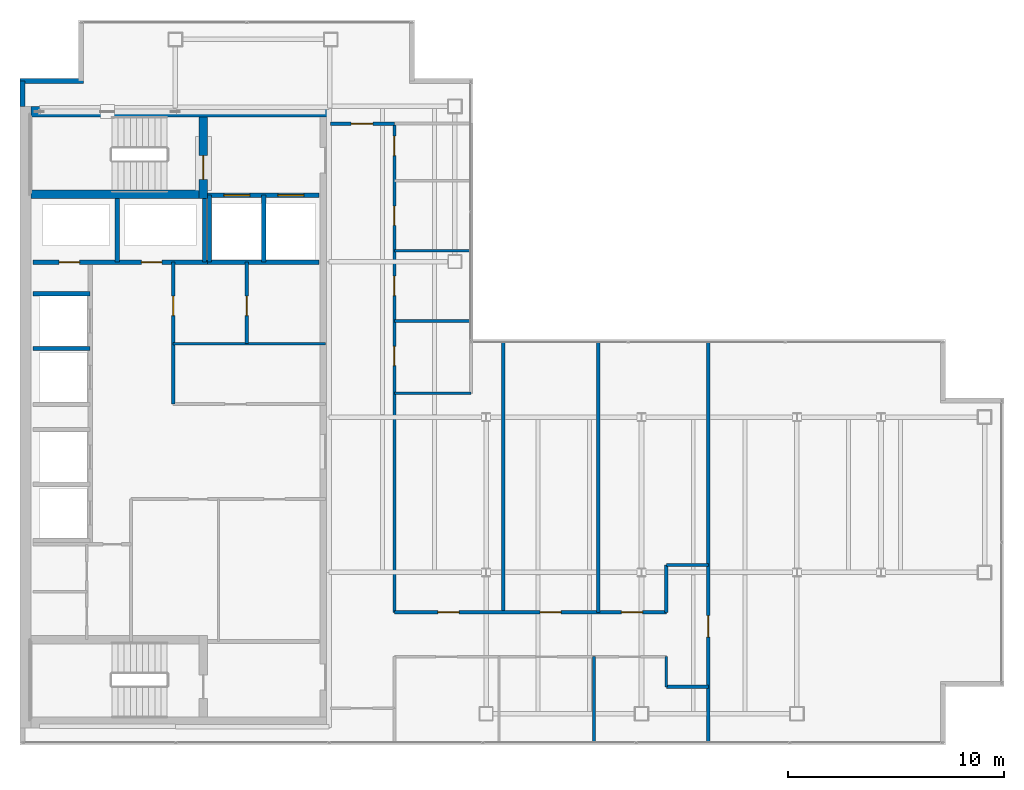
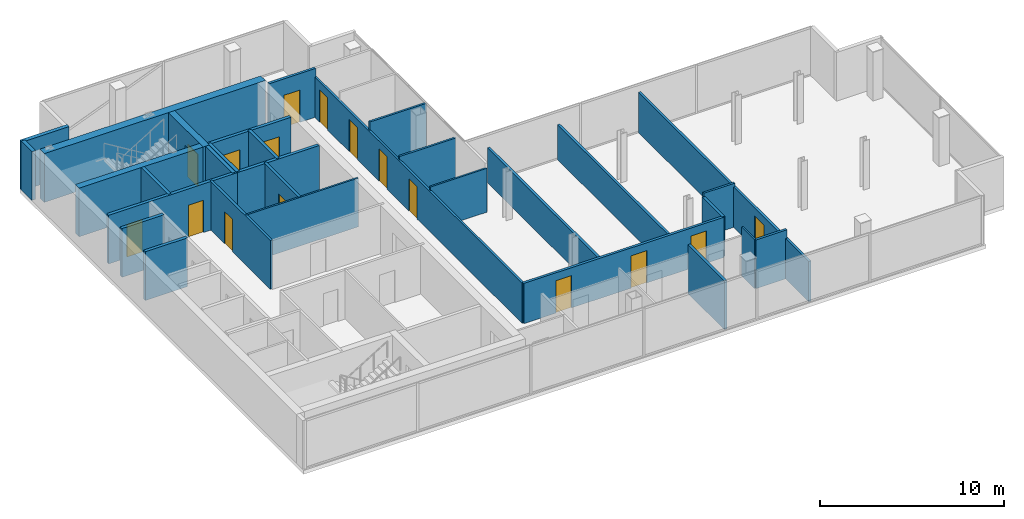
# One storey, part 22 of 24: 31 walls, 16 doors, 16 openings.
"""IFC4 building model written with IfcOpenShell, lengths in metres."""

from ifc_helpers import new_model, si_unit, direction, frame, frame_2d, origin, place, context, subcontext, project, spatial, rectangle, extrude, material, layer, layer_set, type_object, element, fill, save


model = new_model("IFC4")

# Units and contexts
model_context = context("Model", 3, precision=1e-05, world=origin(), true_north=direction((0.0, 1.0)))
body_context = subcontext(model_context, "Body", "Model", "MODEL_VIEW")
ifc_project = project(units=[si_unit("LENGTHUNIT", "METRE"), si_unit("AREAUNIT", "SQUARE_METRE"), si_unit("VOLUMEUNIT", "CUBIC_METRE"), si_unit("PLANEANGLEUNIT", "RADIAN"), si_unit("MASSUNIT", "GRAM", prefix="KILO")], contexts=[model_context])

# Site, building, storey
site_placement = place(None, origin())
site = spatial("IfcSite", under=ifc_project, at=site_placement, CompositionType="ELEMENT")
building_placement = place(site_placement, origin())
building = spatial("IfcBuilding", under=site, at=building_placement, Name="Cobrela Telecom Tower", CompositionType="ELEMENT")
storey_placement = place(building_placement, frame((0.0, 0.0, 290.14990234375)))
storey = spatial("IfcBuildingStorey", under=building, at=storey_placement, Name="L76", CompositionType="ELEMENT", Elevation=290.14990234375)

# Walls
ifc_material_1 = material(Name="Concrete C40/50", Category="concrete")
ifc_layer_1 = layer(ifc_material_1, 0.5)
ifc_layer_set_1 = layer_set([ifc_layer_1], Name="Concrete C40/50")
wall_type_1 = type_object("IfcWallType", Name="WALL-CORE-C40-500", PredefinedType="SHEAR", material=ifc_layer_set_1)
wall_1_placement = place(storey_placement, frame((0.5, 35.75, 0.0), z_axis=(0.0, 0.0, 1.0), x_axis=(1.0, 0.0, 0.0)))
element("IfcWall", 1, at=wall_1_placement, inside=storey, type_object=wall_type_1, Name="L76 North Core Shear Wall", PredefinedType="SHEAR", context=body_context, shape_type="SweptSolid", body=[
    extrude(rectangle(XDim=13.89990234375, YDim=0.5, at=frame_2d((6.949951171875, 0.0))), origin(), (0.0, 0.0, 1.0), 3.239990234375),
])
ifc_layer_2 = layer(ifc_material_1, 0.239990234375)
ifc_layer_set_2 = layer_set([ifc_layer_2], Name="Concrete C40/50")
wall_type_2 = type_object("IfcWallType", Name="WALL-EXT-300", PredefinedType="STANDARD", material=ifc_layer_set_2)
wall_2_placement = place(storey_placement, frame((0.1201171875, 36.0, 0.0), z_axis=(0.0, 0.0, 1.0), x_axis=(0.0, 1.0, 0.0)))
element("IfcWall", 2, at=wall_2_placement, inside=storey, type_object=wall_type_2, Name="L76 Insulated Facade Wall 02", PredefinedType="STANDARD", context=body_context, shape_type="SweptSolid", body=[
    extrude(rectangle(XDim=1.169921875, YDim=0.239990234375, at=frame_2d((0.5849609375, 0.0))), origin(), (0.0, 0.0, 1.0), 3.239990234375),
])
wall_3_placement = place(storey_placement, frame((0.0, 37.169921875, 0.0), z_axis=(0.0, 0.0, 1.0), x_axis=(1.0, 0.0, 0.0)))
element("IfcWall", 3, at=wall_3_placement, inside=storey, type_object=wall_type_2, Name="L76 Insulated Facade Wall 03", PredefinedType="STANDARD", context=body_context, shape_type="SweptSolid", body=[
    extrude(rectangle(XDim=2.949951171875, YDim=0.239990234375, at=frame_2d((1.47509765625, 0.0))), origin(), (0.0, 0.0, 1.0), 3.239990234375),
])
ifc_material_2 = material(Name="Fire-Rated Gypsum Plasterboard")
ifc_layer_3 = layer(ifc_material_2, 0.110107421875)
ifc_layer_set_3 = layer_set([ifc_layer_3], Name="Fire-Rated Gypsum Plasterboard")
wall_type_3 = type_object("IfcWallType", Name="WALL-PART-110", PredefinedType="PARTITIONING", material=ifc_layer_set_3)
wall_4_placement = place(storey_placement, frame((7.10009765625, 25.0, 0.0), z_axis=(0.0, 0.0, 1.0), x_axis=(1.0, 0.0, 0.0)))
element("IfcWall", 4, at=wall_4_placement, inside=storey, type_object=wall_type_3, Name="L76 Interior Partition CW-RECL-H", PredefinedType="PARTITIONING", context=body_context, shape_type="SweptSolid", body=[
    extrude(rectangle(XDim=7.0498046875, YDim=0.110107421875, at=frame_2d((3.52490234375, 0.0))), origin(), (0.0, 0.0, 1.0), 3.239990234375),
])
wall_5_placement = place(storey_placement, frame((29.949951171875, 9.10009765625, 0.0), z_axis=(0.0, 0.0, 1.0), x_axis=(0.0, 1.0, 0.0)))
element("IfcWall", 5, at=wall_5_placement, inside=storey, type_object=wall_type_3, Name="L76 Interior Partition W-CT-JW1", PredefinedType="PARTITIONING", context=body_context, shape_type="SweptSolid", body=[
    extrude(rectangle(XDim=1.39990234375, YDim=0.110107421875, at=frame_2d((0.699951171875, 0.0))), origin(), (0.0, 0.0, 1.0), 3.239990234375),
])
wall_6_placement = place(storey_placement, frame((17.35009765625, 22.699951171875, 0.0), z_axis=(0.0, 0.0, 1.0), x_axis=(1.0, 0.0, 0.0)))
element("IfcWall", 6, at=wall_6_placement, inside=storey, type_object=wall_type_3, Name="L76 Interior Partition W-WC-S", PredefinedType="PARTITIONING", context=body_context, shape_type="SweptSolid", body=[
    extrude(rectangle(XDim=3.5498046875, YDim=0.110107421875, at=frame_2d((1.77490234375, 0.0))), origin(), (0.0, 0.0, 1.0), 2.9150390625),
])
ifc_layer_4 = layer(ifc_material_2, 0.125)
ifc_layer_set_4 = layer_set([ifc_layer_4], Name="Fire-Rated Gypsum Plasterboard")
wall_type_4 = type_object("IfcWallType", Name="WALL-PART-125", PredefinedType="PARTITIONING", material=ifc_layer_set_4)
wall_7_placement = place(storey_placement, frame((17.35009765625, 26.050048828125, 0.0), z_axis=(0.0, 0.0, 1.0), x_axis=(1.0, 0.0, 0.0)))
element("IfcWall", 7, at=wall_7_placement, inside=storey, type_object=wall_type_4, Name="L76 Interior Partition W-WCD-1", PredefinedType="PARTITIONING", context=body_context, shape_type="SweptSolid", body=[
    extrude(rectangle(XDim=3.5498046875, YDim=0.125, at=frame_2d((1.77490234375, 0.0))), origin(), (0.0, 0.0, 1.0), 2.9150390625),
])
wall_8_placement = place(storey_placement, frame((17.35009765625, 29.300048828125, 0.0), z_axis=(0.0, 0.0, 1.0), x_axis=(1.0, 0.0, 0.0)))
element("IfcWall", 8, at=wall_8_placement, inside=storey, type_object=wall_type_4, Name="L76 Interior Partition W-WCD-2", PredefinedType="PARTITIONING", context=body_context, shape_type="SweptSolid", body=[
    extrude(rectangle(XDim=3.5498046875, YDim=0.125, at=frame_2d((1.77490234375, 0.0))), origin(), (0.0, 0.0, 1.0), 3.239990234375),
])

# Wall, openings, doors
ifc_layer_5 = layer(ifc_material_2, 0.135009765625)
ifc_layer_set_5 = layer_set([ifc_layer_5], Name="Fire-Rated Gypsum Plasterboard")
wall_type_5 = type_object("IfcWallType", Name="WALL-PART-135", PredefinedType="PARTITIONING", material=ifc_layer_set_5)
wall_9_placement = place(storey_placement, frame((17.35009765625, 12.550048828125, 0.0), z_axis=(0.0, 0.0, 1.0), x_axis=(0.0, 1.0, 0.0)))
wall_9 = element("IfcWall", 9, at=wall_9_placement, inside=storey, type_object=wall_type_5, Name="L76 Interior Partition W-C-E2", PredefinedType="PARTITIONING", context=body_context, shape_type="SweptSolid", body=[
    extrude(rectangle(XDim=22.64990234375, YDim=0.135009765625, at=frame_2d((11.324951171875, 0.0))), origin(), (0.0, 0.0, 1.0), 2.676025390625),
])
opening_1_placement = place(wall_9_placement, frame((11.429931640625, 0.0, 0.0)))
opening_1 = element("IfcOpeningElement", 10, at=opening_1_placement, cuts=wall_9, Name="Opening DR-41", PredefinedType="OPENING", context=body_context, shape_type="SweptSolid", body=[
    extrude(rectangle(XDim=0.89990234375, YDim=2.14990234375, at=frame_2d((0.449951171875, 1.074951171875))), frame((0.0, 0.07958984375, 0.0), z_axis=(0.0, -1.0, 0.0), x_axis=(1.0, 0.0, 0.0)), (0.0, 0.0, 1.0), 0.158935546875),
])
opening_2_placement = place(wall_9_placement, frame((14.679931640625, 0.0, 0.0)))
opening_2 = element("IfcOpeningElement", 11, at=opening_2_placement, cuts=wall_9, Name="Opening DR-41", PredefinedType="OPENING", context=body_context, shape_type="SweptSolid", body=[
    extrude(rectangle(XDim=0.89990234375, YDim=2.14990234375, at=frame_2d((0.449951171875, 1.074951171875))), frame((0.0, 0.07958984375, 0.0), z_axis=(0.0, -1.0, 0.0), x_axis=(1.0, 0.0, 0.0)), (0.0, 0.0, 1.0), 0.158935546875),
])
opening_3_placement = place(wall_9_placement, frame((17.929931640625, 0.0, 0.0)))
opening_3 = element("IfcOpeningElement", 12, at=opening_3_placement, cuts=wall_9, Name="Opening DR-41", PredefinedType="OPENING", context=body_context, shape_type="SweptSolid", body=[
    extrude(rectangle(XDim=0.89990234375, YDim=2.14990234375, at=frame_2d((0.449951171875, 1.074951171875))), frame((0.0, 0.07958984375, 0.0), z_axis=(0.0, -1.0, 0.0), x_axis=(1.0, 0.0, 0.0)), (0.0, 0.0, 1.0), 0.158935546875),
])
opening_4_placement = place(wall_9_placement, frame((21.169921875, 0.0, 0.0)))
opening_4 = element("IfcOpeningElement", 13, at=opening_4_placement, cuts=wall_9, Name="Opening DR-41", PredefinedType="OPENING", context=body_context, shape_type="SweptSolid", body=[
    extrude(rectangle(XDim=0.89990234375, YDim=2.14990234375, at=frame_2d((0.449951171875, 1.074951171875))), frame((0.0, 0.07958984375, 0.0), z_axis=(0.0, -1.0, 0.0), x_axis=(1.0, 0.0, 0.0)), (0.0, 0.0, 1.0), 0.158935546875),
])
ifc_material_3 = material(Name="Solid Engineered Oak Timber", Category="wood")
door_type_1 = type_object("IfcDoorType", Name="DOOR-INT-900", OperationType="SINGLE_SWING_LEFT", PredefinedType="DOOR", material=ifc_material_3)
door_1_placement = place(opening_1_placement, origin())
door_1 = element("IfcDoor", 14, at=door_1_placement, inside=storey, type_object=door_type_1, Name="L76 Door DR-41", OperationType="SINGLE_SWING_LEFT", OverallHeight=2.14990234375, OverallWidth=0.89990234375, PredefinedType="DOOR", context=body_context, shape_type="SweptSolid", body=[
    extrude(rectangle(XDim=0.89990234375, YDim=2.14990234375, at=frame_2d((0.449951171875, 1.074951171875))), frame((0.0, 0.02490234375, 0.0), z_axis=(0.0, -1.0, 0.0), x_axis=(1.0, 0.0, 0.0)), (0.0, 0.0, 1.0), 0.050048828125),
])
fill(opening_1, door_1)
door_2_placement = place(opening_2_placement, origin())
door_2 = element("IfcDoor", 15, at=door_2_placement, inside=storey, type_object=door_type_1, Name="L76 Door DR-41", OperationType="SINGLE_SWING_RIGHT", OverallHeight=2.14990234375, OverallWidth=0.89990234375, PredefinedType="DOOR", context=body_context, shape_type="SweptSolid", body=[
    extrude(rectangle(XDim=0.89990234375, YDim=2.14990234375, at=frame_2d((0.449951171875, 1.074951171875))), frame((0.0, 0.02490234375, 0.0), z_axis=(0.0, -1.0, 0.0), x_axis=(1.0, 0.0, 0.0)), (0.0, 0.0, 1.0), 0.050048828125),
])
fill(opening_2, door_2)
door_3_placement = place(opening_3_placement, origin())
door_3 = element("IfcDoor", 16, at=door_3_placement, inside=storey, type_object=door_type_1, Name="L76 Door DR-41", OperationType="SINGLE_SWING_LEFT", OverallHeight=2.14990234375, OverallWidth=0.89990234375, PredefinedType="DOOR", context=body_context, shape_type="SweptSolid", body=[
    extrude(rectangle(XDim=0.89990234375, YDim=2.14990234375, at=frame_2d((0.449951171875, 1.074951171875))), frame((0.0, 0.02490234375, 0.0), z_axis=(0.0, -1.0, 0.0), x_axis=(1.0, 0.0, 0.0)), (0.0, 0.0, 1.0), 0.050048828125),
])
fill(opening_3, door_3)
door_4_placement = place(opening_4_placement, origin())
door_4 = element("IfcDoor", 17, at=door_4_placement, inside=storey, type_object=door_type_1, Name="L76 Door DR-41", OperationType="SINGLE_SWING_RIGHT", OverallHeight=2.14990234375, OverallWidth=0.89990234375, PredefinedType="DOOR", context=body_context, shape_type="SweptSolid", body=[
    extrude(rectangle(XDim=0.89990234375, YDim=2.14990234375, at=frame_2d((0.449951171875, 1.074951171875))), frame((0.0, 0.02490234375, 0.0), z_axis=(0.0, -1.0, 0.0), x_axis=(1.0, 0.0, 0.0)), (0.0, 0.0, 1.0), 0.050048828125),
])
fill(opening_4, door_4)

# Wall
wall_10_placement = place(storey_placement, frame((29.949951171875, 14.75, 0.0), z_axis=(0.0, 0.0, 1.0), x_axis=(1.0, 0.0, 0.0)))
element("IfcWall", 18, at=wall_10_placement, inside=storey, type_object=wall_type_5, Name="L76 Interior Partition W-CT-N", PredefinedType="PARTITIONING", context=body_context, shape_type="SweptSolid", body=[
    extrude(rectangle(XDim=1.949951171875, YDim=0.135009765625, at=frame_2d((0.97509765625, 0.0))), origin(), (0.0, 0.0, 1.0), 2.9150390625),
])

# Wall, opening, door
ifc_layer_6 = layer(ifc_material_2, 0.14990234375)
ifc_layer_set_6 = layer_set([ifc_layer_6], Name="Fire-Rated Gypsum Plasterboard")
wall_type_6 = type_object("IfcWallType", Name="WALL-PART-150", PredefinedType="PARTITIONING", material=ifc_layer_set_6)
wall_11_placement = place(storey_placement, frame((7.10009765625, 22.199951171875, 0.0), z_axis=(0.0, 0.0, 1.0), x_axis=(0.0, 1.0, 0.0)))
wall_11 = element("IfcWall", 19, at=wall_11_placement, inside=storey, type_object=wall_type_6, Name="L76 Interior Partition CW-RECL-W", PredefinedType="PARTITIONING", context=body_context, shape_type="SweptSolid", body=[
    extrude(rectangle(XDim=6.580078125, YDim=0.14990234375, at=frame_2d((3.2900390625, 0.0))), origin(), (0.0, 0.0, 1.0), 3.239990234375),
])
opening_5_placement = place(wall_11_placement, frame((4.10009765625, 0.0, 0.0)))
opening_5 = element("IfcOpeningElement", 20, at=opening_5_placement, cuts=wall_11, Name="Opening DR-41", PredefinedType="OPENING", context=body_context, shape_type="SweptSolid", body=[
    extrude(rectangle(XDim=0.89990234375, YDim=2.14990234375, at=frame_2d((0.449951171875, 1.074951171875))), frame((0.0, 0.0869140625, 0.0), z_axis=(0.0, -1.0, 0.0), x_axis=(1.0, 0.0, 0.0)), (0.0, 0.0, 1.0), 0.173828125),
])
door_5_placement = place(opening_5_placement, origin())
door_5 = element("IfcDoor", 21, at=door_5_placement, inside=storey, type_object=door_type_1, Name="L76 Door DR-41", OperationType="SINGLE_SWING_RIGHT", OverallHeight=2.14990234375, OverallWidth=0.89990234375, PredefinedType="DOOR", context=body_context, shape_type="SweptSolid", body=[
    extrude(rectangle(XDim=0.89990234375, YDim=2.14990234375, at=frame_2d((0.449951171875, 1.074951171875))), frame((0.0, 0.02490234375, 0.0), z_axis=(0.0, -1.0, 0.0), x_axis=(1.0, 0.0, 0.0)), (0.0, 0.0, 1.0), 0.050048828125),
])
fill(opening_5, door_5)

# Wall
wall_12_placement = place(storey_placement, frame((29.949951171875, 9.10009765625, 0.0), z_axis=(0.0, 0.0, 1.0), x_axis=(1.0, 0.0, 0.0)))
element("IfcWall", 22, at=wall_12_placement, inside=storey, type_object=wall_type_6, Name="L76 Interior Partition W-CT-S", PredefinedType="PARTITIONING", context=body_context, shape_type="SweptSolid", body=[
    extrude(rectangle(XDim=1.949951171875, YDim=0.14990234375, at=frame_2d((0.97509765625, 0.0))), origin(), (0.0, 0.0, 1.0), 3.239990234375),
])

# Wall, opening, door
wall_13_placement = place(storey_placement, frame((31.89990234375, 6.52001953125, 0.0), z_axis=(0.0, 0.0, 1.0), x_axis=(0.0, 1.0, 0.0)))
wall_13 = element("IfcWall", 23, at=wall_13_placement, inside=storey, type_object=wall_type_6, Name="L76 Interior Partition W-C-END", PredefinedType="PARTITIONING", context=body_context, shape_type="SweptSolid", body=[
    extrude(rectangle(XDim=18.56005859375, YDim=0.14990234375, at=frame_2d((9.280029296875, 0.0))), origin(), (0.0, 0.0, 1.0), 2.676025390625),
])
opening_6_placement = place(wall_13_placement, frame((4.8798828125, 0.0, 0.0)))
opening_6 = element("IfcOpeningElement", 24, at=opening_6_placement, cuts=wall_13, Name="Opening DR-31", PredefinedType="OPENING", context=body_context, shape_type="SweptSolid", body=[
    extrude(rectangle(XDim=1.0, YDim=2.14990234375, at=frame_2d((0.5, 1.074951171875))), frame((0.0, 0.0869140625, 0.0), z_axis=(0.0, -1.0, 0.0), x_axis=(1.0, 0.0, 0.0)), (0.0, 0.0, 1.0), 0.173828125),
])
door_type_2 = type_object("IfcDoorType", Name="DOOR-INT-1000", OperationType="SINGLE_SWING_LEFT", PredefinedType="DOOR", material=ifc_material_3)
door_6_placement = place(opening_6_placement, origin())
door_6 = element("IfcDoor", 25, at=door_6_placement, inside=storey, type_object=door_type_2, Name="L76 Door DR-31", OperationType="SINGLE_SWING_LEFT", OverallHeight=2.14990234375, OverallWidth=1.0, PredefinedType="DOOR", context=body_context, shape_type="SweptSolid", body=[
    extrude(rectangle(XDim=1.0, YDim=2.14990234375, at=frame_2d((0.5, 1.074951171875))), frame((0.0, 0.02490234375, 0.0), z_axis=(0.0, -1.0, 0.0), x_axis=(1.0, 0.0, 0.0)), (0.0, 0.0, 1.0), 0.050048828125),
])
fill(opening_6, door_6)

# Wall
wall_14_placement = place(storey_placement, frame((26.800048828125, 12.550048828125, 0.0), z_axis=(0.0, 0.0, 1.0), x_axis=(0.0, 1.0, 0.0)))
element("IfcWall", 26, at=wall_14_placement, inside=storey, type_object=wall_type_6, Name="L76 Interior Partition W-NV-2", PredefinedType="PARTITIONING", context=body_context, shape_type="SweptSolid", body=[
    extrude(rectangle(XDim=12.5, YDim=0.14990234375, at=frame_2d((6.25, 0.0))), origin(), (0.0, 0.0, 1.0), 2.3251953125),
])

# Wall, opening, door
ifc_layer_7 = layer(ifc_material_2, 0.159912109375)
ifc_layer_set_7 = layer_set([ifc_layer_7], Name="Fire-Rated Gypsum Plasterboard")
wall_type_7 = type_object("IfcWallType", Name="WALL-PART-160", PredefinedType="PARTITIONING", material=ifc_layer_set_7)
wall_15_placement = place(storey_placement, frame((10.5, 25.0, 0.0), z_axis=(0.0, 0.0, 1.0), x_axis=(0.0, 1.0, 0.0)))
wall_15 = element("IfcWall", 27, at=wall_15_placement, inside=storey, type_object=wall_type_7, Name="L76 Interior Partition CW-RECL-VN", PredefinedType="PARTITIONING", context=body_context, shape_type="SweptSolid", body=[
    extrude(rectangle(XDim=3.780029296875, YDim=0.159912109375, at=frame_2d((1.89013671875, 0.0))), origin(), (0.0, 0.0, 1.0), 3.239990234375),
])
opening_7_placement = place(wall_15_placement, frame((1.300048828125, 0.0, 0.0)))
opening_7 = element("IfcOpeningElement", 28, at=opening_7_placement, cuts=wall_15, Name="Opening DR-41", PredefinedType="OPENING", context=body_context, shape_type="SweptSolid", body=[
    extrude(rectangle(XDim=0.89990234375, YDim=2.14990234375, at=frame_2d((0.449951171875, 1.074951171875))), frame((0.0, 0.091796875, 0.0), z_axis=(0.0, -1.0, 0.0), x_axis=(1.0, 0.0, 0.0)), (0.0, 0.0, 1.0), 0.183837890625),
])
door_7_placement = place(opening_7_placement, origin())
door_7 = element("IfcDoor", 29, at=door_7_placement, inside=storey, type_object=door_type_1, Name="L76 Door DR-41", OperationType="SINGLE_SWING_LEFT", OverallHeight=2.14990234375, OverallWidth=0.89990234375, PredefinedType="DOOR", context=body_context, shape_type="SweptSolid", body=[
    extrude(rectangle(XDim=0.89990234375, YDim=2.14990234375, at=frame_2d((0.449951171875, 1.074951171875))), frame((0.0, 0.02490234375, 0.0), z_axis=(0.0, -1.0, 0.0), x_axis=(1.0, 0.0, 0.0)), (0.0, 0.0, 1.0), 0.050048828125),
])
fill(opening_7, door_7)

wall_16_placement = place(storey_placement, frame((14.39990234375, 35.199951171875, 0.0), z_axis=(0.0, 0.0, 1.0), x_axis=(1.0, 0.0, 0.0)))
wall_16 = element("IfcWall", 30, at=wall_16_placement, inside=storey, type_object=wall_type_7, Name="L76 Interior Partition W-C-N0", PredefinedType="PARTITIONING", context=body_context, shape_type="SweptSolid", body=[
    extrude(rectangle(XDim=2.9501953125, YDim=0.159912109375, at=frame_2d((1.47509765625, 0.0))), origin(), (0.0, 0.0, 1.0), 3.239990234375),
])
opening_8_placement = place(wall_16_placement, frame((0.949951171875, 0.0, 0.0)))
opening_8 = element("IfcOpeningElement", 31, at=opening_8_placement, cuts=wall_16, Name="Opening DR-31", PredefinedType="OPENING", context=body_context, shape_type="SweptSolid", body=[
    extrude(rectangle(XDim=1.0, YDim=2.14990234375, at=frame_2d((0.5, 1.074951171875))), frame((0.0, 0.091796875, 0.0), z_axis=(0.0, -1.0, 0.0), x_axis=(1.0, 0.0, 0.0)), (0.0, 0.0, 1.0), 0.183837890625),
])
door_8_placement = place(opening_8_placement, origin())
door_8 = element("IfcDoor", 32, at=door_8_placement, inside=storey, type_object=door_type_2, Name="L76 Door DR-31", OperationType="SINGLE_SWING_LEFT", OverallHeight=2.14990234375, OverallWidth=1.0, PredefinedType="DOOR", context=body_context, shape_type="SweptSolid", body=[
    extrude(rectangle(XDim=1.0, YDim=2.14990234375, at=frame_2d((0.5, 1.074951171875))), frame((0.0, 0.02490234375, 0.0), z_axis=(0.0, -1.0, 0.0), x_axis=(1.0, 0.0, 0.0)), (0.0, 0.0, 1.0), 0.050048828125),
])
fill(opening_8, door_8)

# Wall, openings, doors
wall_17_placement = place(storey_placement, frame((17.35009765625, 12.550048828125, 0.0), z_axis=(0.0, 0.0, 1.0), x_axis=(1.0, 0.0, 0.0)))
wall_17 = element("IfcWall", 33, at=wall_17_placement, inside=storey, type_object=wall_type_7, Name="L76 Interior Partition W-C-HN", PredefinedType="PARTITIONING", context=body_context, shape_type="SweptSolid", body=[
    extrude(rectangle(XDim=12.599853515625, YDim=0.159912109375, at=frame_2d((6.2998046875, 0.0))), origin(), (0.0, 0.0, 1.0), 2.676025390625),
])
opening_9_placement = place(wall_17_placement, frame((2.02001953125, 0.0, 0.0)))
opening_9 = element("IfcOpeningElement", 34, at=opening_9_placement, cuts=wall_17, Name="Opening DR-17", PredefinedType="OPENING", context=body_context, shape_type="SweptSolid", body=[
    extrude(rectangle(XDim=0.97998046875, YDim=2.14990234375, at=frame_2d((0.489990234375, 1.074951171875))), frame((0.0, 0.091796875, 0.0), z_axis=(0.0, -1.0, 0.0), x_axis=(1.0, 0.0, 0.0)), (0.0, 0.0, 1.0), 0.183837890625),
])
opening_10_placement = place(wall_17_placement, frame((6.75, 0.0, 0.0)))
opening_10 = element("IfcOpeningElement", 35, at=opening_10_placement, cuts=wall_17, Name="Opening DR-17", PredefinedType="OPENING", context=body_context, shape_type="SweptSolid", body=[
    extrude(rectangle(XDim=0.97998046875, YDim=2.14990234375, at=frame_2d((0.489990234375, 1.074951171875))), frame((0.0, 0.091796875, 0.0), z_axis=(0.0, -1.0, 0.0), x_axis=(1.0, 0.0, 0.0)), (0.0, 0.0, 1.0), 0.183837890625),
])
opening_11_placement = place(wall_17_placement, frame((10.52001953125, 0.0, 0.0)))
opening_11 = element("IfcOpeningElement", 36, at=opening_11_placement, cuts=wall_17, Name="Opening DR-17", PredefinedType="OPENING", context=body_context, shape_type="SweptSolid", body=[
    extrude(rectangle(XDim=0.97998046875, YDim=2.14990234375, at=frame_2d((0.489990234375, 1.074951171875))), frame((0.0, 0.091796875, 0.0), z_axis=(0.0, -1.0, 0.0), x_axis=(1.0, 0.0, 0.0)), (0.0, 0.0, 1.0), 0.183837890625),
])
door_type_3 = type_object("IfcDoorType", Name="DOOR-INT-980", OperationType="SINGLE_SWING_LEFT", PredefinedType="DOOR", material=ifc_material_3)
door_9_placement = place(opening_9_placement, origin())
door_9 = element("IfcDoor", 37, at=door_9_placement, inside=storey, type_object=door_type_3, Name="L76 Door DR-17", OperationType="SINGLE_SWING_LEFT", OverallHeight=2.14990234375, OverallWidth=0.97998046875, PredefinedType="DOOR", context=body_context, shape_type="SweptSolid", body=[
    extrude(rectangle(XDim=0.97998046875, YDim=2.14990234375, at=frame_2d((0.489990234375, 1.074951171875))), frame((0.0, 0.02490234375, 0.0), z_axis=(0.0, -1.0, 0.0), x_axis=(1.0, 0.0, 0.0)), (0.0, 0.0, 1.0), 0.050048828125),
])
fill(opening_9, door_9)
door_10_placement = place(opening_10_placement, origin())
door_10 = element("IfcDoor", 38, at=door_10_placement, inside=storey, type_object=door_type_3, Name="L76 Door DR-17", OperationType="SINGLE_SWING_RIGHT", OverallHeight=2.14990234375, OverallWidth=0.97998046875, PredefinedType="DOOR", context=body_context, shape_type="SweptSolid", body=[
    extrude(rectangle(XDim=0.97998046875, YDim=2.14990234375, at=frame_2d((0.489990234375, 1.074951171875))), frame((0.0, 0.02490234375, 0.0), z_axis=(0.0, -1.0, 0.0), x_axis=(1.0, 0.0, 0.0)), (0.0, 0.0, 1.0), 0.050048828125),
])
fill(opening_10, door_10)
door_11_placement = place(opening_11_placement, origin())
door_11 = element("IfcDoor", 39, at=door_11_placement, inside=storey, type_object=door_type_3, Name="L76 Door DR-17", OperationType="SINGLE_SWING_LEFT", OverallHeight=2.14990234375, OverallWidth=0.97998046875, PredefinedType="DOOR", context=body_context, shape_type="SweptSolid", body=[
    extrude(rectangle(XDim=0.97998046875, YDim=2.14990234375, at=frame_2d((0.489990234375, 1.074951171875))), frame((0.0, 0.02490234375, 0.0), z_axis=(0.0, -1.0, 0.0), x_axis=(1.0, 0.0, 0.0)), (0.0, 0.0, 1.0), 0.050048828125),
])
fill(opening_11, door_11)

# Walls
wall_18_placement = place(storey_placement, frame((29.949951171875, 12.550048828125, 0.0), z_axis=(0.0, 0.0, 1.0), x_axis=(0.0, 1.0, 0.0)))
element("IfcWall", 40, at=wall_18_placement, inside=storey, type_object=wall_type_7, Name="L76 Interior Partition W-CT-JW2", PredefinedType="PARTITIONING", context=body_context, shape_type="SweptSolid", body=[
    extrude(rectangle(XDim=2.199951171875, YDim=0.159912109375, at=frame_2d((1.10009765625, 0.0))), origin(), (0.0, 0.0, 1.0), 2.676025390625),
])
wall_19_placement = place(storey_placement, frame((22.39990234375, 12.550048828125, 0.0), z_axis=(0.0, 0.0, 1.0), x_axis=(0.0, 1.0, 0.0)))
element("IfcWall", 41, at=wall_19_placement, inside=storey, type_object=wall_type_7, Name="L76 Interior Partition W-NV-1", PredefinedType="PARTITIONING", context=body_context, shape_type="SweptSolid", body=[
    extrude(rectangle(XDim=12.5, YDim=0.159912109375, at=frame_2d((6.25, 0.0))), origin(), (0.0, 0.0, 1.0), 2.3251953125),
])
wall_20_placement = place(storey_placement, frame((26.60009765625, 6.52001953125, 0.0), z_axis=(0.0, 0.0, 1.0), x_axis=(0.0, 1.0, 0.0)))
element("IfcWall", 42, at=wall_20_placement, inside=storey, type_object=wall_type_7, Name="L76 Interior Partition W-SV-2", PredefinedType="PARTITIONING", context=body_context, shape_type="SweptSolid", body=[
    extrude(rectangle(XDim=3.97998046875, YDim=0.159912109375, at=frame_2d((1.989990234375, 0.0))), origin(), (0.0, 0.0, 1.0), 3.239990234375),
])

# Wall, openings, doors
ifc_layer_8 = layer(ifc_material_2, 0.199951171875)
ifc_layer_set_8 = layer_set([ifc_layer_8], Name="Fire-Rated Gypsum Plasterboard")
wall_type_8 = type_object("IfcWallType", Name="WALL-SHAFT-200", PredefinedType="PARTITIONING", material=ifc_layer_set_8)
wall_21_placement = place(storey_placement, frame((8.699951171875, 31.8798828125, 0.0), z_axis=(0.0, 0.0, 1.0), x_axis=(1.0, 0.0, 0.0)))
wall_21 = element("IfcWall", 43, at=wall_21_placement, inside=storey, type_object=wall_type_8, Name="L76 Shaft Enclosure CW-FFL-S", PredefinedType="PARTITIONING", context=body_context, shape_type="SweptSolid", body=[
    extrude(rectangle(XDim=5.150146484375, YDim=0.199951171875, at=frame_2d((2.5751953125, 0.0))), origin(), (0.0, 0.0, 1.0), 3.239990234375),
])
opening_12_placement = place(wall_21_placement, frame((0.75, 0.0, 0.0)))
opening_12 = element("IfcOpeningElement", 44, at=opening_12_placement, cuts=wall_21, Name="Opening LD-2", PredefinedType="OPENING", context=body_context, shape_type="SweptSolid", body=[
    extrude(rectangle(XDim=1.199951171875, YDim=2.199951171875, at=frame_2d((0.60009765625, 1.10009765625))), frame((0.0, 0.11181640625, 0.0), z_axis=(0.0, -1.0, 0.0), x_axis=(1.0, 0.0, 0.0)), (0.0, 0.0, 1.0), 0.223876953125),
])
opening_13_placement = place(wall_21_placement, frame((3.25, 0.0, 0.0)))
opening_13 = element("IfcOpeningElement", 45, at=opening_13_placement, cuts=wall_21, Name="Opening LD-2", PredefinedType="OPENING", context=body_context, shape_type="SweptSolid", body=[
    extrude(rectangle(XDim=1.199951171875, YDim=2.199951171875, at=frame_2d((0.60009765625, 1.10009765625))), frame((0.0, 0.11181640625, 0.0), z_axis=(0.0, -1.0, 0.0), x_axis=(1.0, 0.0, 0.0)), (0.0, 0.0, 1.0), 0.223876953125),
])
ifc_material_4 = material(Name="Steel ASTM A36", Category="steel")
door_type_4 = type_object("IfcDoorType", Name="DOOR-LD-FFL", OperationType="SINGLE_SWING_LEFT", PredefinedType="DOOR", material=ifc_material_4)
door_12_placement = place(opening_12_placement, origin())
door_12 = element("IfcDoor", 46, at=door_12_placement, inside=storey, type_object=door_type_4, Name="L76 Lift Landing Door LD-2", OperationType="DOUBLE_DOOR_SLIDING", OverallHeight=2.199951171875, OverallWidth=1.199951171875, PredefinedType="DOOR", context=body_context, shape_type="SweptSolid", body=[
    extrude(rectangle(XDim=1.199951171875, YDim=2.199951171875, at=frame_2d((0.60009765625, 1.10009765625))), frame((0.0, 0.02490234375, 0.0), z_axis=(0.0, -1.0, 0.0), x_axis=(1.0, 0.0, 0.0)), (0.0, 0.0, 1.0), 0.050048828125),
])
fill(opening_12, door_12)
door_13_placement = place(opening_13_placement, origin())
door_13 = element("IfcDoor", 47, at=door_13_placement, inside=storey, type_object=door_type_4, Name="L76 Lift Landing Door LD-2", OperationType="DOUBLE_DOOR_SLIDING", OverallHeight=2.199951171875, OverallWidth=1.199951171875, PredefinedType="DOOR", context=body_context, shape_type="SweptSolid", body=[
    extrude(rectangle(XDim=1.199951171875, YDim=2.199951171875, at=frame_2d((0.60009765625, 1.10009765625))), frame((0.0, 0.02490234375, 0.0), z_axis=(0.0, -1.0, 0.0), x_axis=(1.0, 0.0, 0.0)), (0.0, 0.0, 1.0), 0.050048828125),
])
fill(opening_13, door_13)

# Walls
wall_22_placement = place(storey_placement, frame((8.699951171875, 28.780029296875, 0.0), z_axis=(0.0, 0.0, 1.0), x_axis=(1.0, 0.0, 0.0)))
element("IfcWall", 48, at=wall_22_placement, inside=storey, type_object=wall_type_8, Name="L76 Shaft Enclosure CW-FFL-S2", PredefinedType="PARTITIONING", context=body_context, shape_type="SweptSolid", body=[
    extrude(rectangle(XDim=5.150146484375, YDim=0.199951171875, at=frame_2d((2.5751953125, 0.0))), origin(), (0.0, 0.0, 1.0), 3.239990234375),
])
for number, where, z_axis, x_axis, name in (
    (49, (8.780029296875, 28.780029296875, 0.0), (0.0, 0.0, 1.0), (0.0, 1.0, 0.0), "L76 Shaft Enclosure CW-FFL-W"),
    (50, (11.300048828125, 28.780029296875, 0.0), (0.0, 0.0, 1.0), (0.0, 1.0, 0.0), "L76 Shaft Enclosure CW-FFL-M"),
):
    element("IfcWall", number, at=place(storey_placement, frame(where, z_axis=z_axis, x_axis=x_axis)), inside=storey, type_object=wall_type_8, Name=name, PredefinedType="PARTITIONING", context=body_context, shape_type="SweptSolid", body=[
        extrude(rectangle(XDim=3.099853515625, YDim=0.199951171875, at=frame_2d((1.5498046875, 0.0))), origin(), (0.0, 0.0, 1.0), 3.239990234375),
    ])

# Wall, openings, doors
wall_23_placement = place(storey_placement, frame((0.60009765625, 28.780029296875, 0.0), z_axis=(0.0, 0.0, 1.0), x_axis=(1.0, 0.0, 0.0)))
wall_23 = element("IfcWall", 51, at=wall_23_placement, inside=storey, type_object=wall_type_8, Name="L76 Shaft Enclosure CW-RIS-S", PredefinedType="PARTITIONING", context=body_context, shape_type="SweptSolid", body=[
    extrude(rectangle(XDim=8.179931640625, YDim=0.199951171875, at=frame_2d((4.08984375, 0.0))), origin(), (0.0, 0.0, 1.0), 3.239990234375),
])
opening_14_placement = place(wall_23_placement, frame((1.2099609375, 0.0, 0.0)))
opening_14 = element("IfcOpeningElement", 52, at=opening_14_placement, cuts=wall_23, Name="Opening DR-65", PredefinedType="OPENING", context=body_context, shape_type="SweptSolid", body=[
    extrude(rectangle(XDim=0.949951171875, YDim=2.14990234375, at=frame_2d((0.47509765625, 1.074951171875))), frame((0.0, 0.11181640625, 0.0), z_axis=(0.0, -1.0, 0.0), x_axis=(1.0, 0.0, 0.0)), (0.0, 0.0, 1.0), 0.223876953125),
])
opening_15_placement = place(wall_23_placement, frame((5.030029296875, 0.0, 0.0)))
opening_15 = element("IfcOpeningElement", 53, at=opening_15_placement, cuts=wall_23, Name="Opening DR-65", PredefinedType="OPENING", context=body_context, shape_type="SweptSolid", body=[
    extrude(rectangle(XDim=0.949951171875, YDim=2.14990234375, at=frame_2d((0.47509765625, 1.074951171875))), frame((0.0, 0.11181640625, 0.0), z_axis=(0.0, -1.0, 0.0), x_axis=(1.0, 0.0, 0.0)), (0.0, 0.0, 1.0), 0.223876953125),
])
door_type_5 = type_object("IfcDoorType", Name="DOOR-FD60-950", OperationType="SINGLE_SWING_LEFT", PredefinedType="DOOR", material=ifc_material_4)
door_14_placement = place(opening_14_placement, origin())
door_14 = element("IfcDoor", 54, at=door_14_placement, inside=storey, type_object=door_type_5, Name="L76 Door DR-65", OperationType="SINGLE_SWING_LEFT", OverallHeight=2.14990234375, OverallWidth=0.949951171875, PredefinedType="DOOR", context=body_context, shape_type="SweptSolid", body=[
    extrude(rectangle(XDim=0.949951171875, YDim=2.14990234375, at=frame_2d((0.47509765625, 1.074951171875))), frame((0.0, 0.02490234375, 0.0), z_axis=(0.0, -1.0, 0.0), x_axis=(1.0, 0.0, 0.0)), (0.0, 0.0, 1.0), 0.050048828125),
])
fill(opening_14, door_14)
door_15_placement = place(opening_15_placement, origin())
door_15 = element("IfcDoor", 55, at=door_15_placement, inside=storey, type_object=door_type_5, Name="L76 Door DR-65", OperationType="SINGLE_SWING_RIGHT", OverallHeight=2.14990234375, OverallWidth=0.949951171875, PredefinedType="DOOR", context=body_context, shape_type="SweptSolid", body=[
    extrude(rectangle(XDim=0.949951171875, YDim=2.14990234375, at=frame_2d((0.47509765625, 1.074951171875))), frame((0.0, 0.02490234375, 0.0), z_axis=(0.0, -1.0, 0.0), x_axis=(1.0, 0.0, 0.0)), (0.0, 0.0, 1.0), 0.050048828125),
])
fill(opening_15, door_15)

# Walls
for number, where, z_axis, x_axis, name in (
    (56, (4.5, 28.780029296875, 0.0), (0.0, 0.0, 1.0), (0.0, 1.0, 0.0), "L76 Shaft Enclosure CW-RIS-M"),
    (57, (8.550048828125, 28.780029296875, 0.0), (0.0, 0.0, 1.0), (0.0, 1.0, 0.0), "L76 Shaft Enclosure CW-RIS-E"),
):
    element("IfcWall", number, at=place(storey_placement, frame(where, z_axis=z_axis, x_axis=x_axis)), inside=storey, type_object=wall_type_8, Name=name, PredefinedType="PARTITIONING", context=body_context, shape_type="SweptSolid", body=[
        extrude(rectangle(XDim=2.93994140625, YDim=0.199951171875, at=frame_2d((1.469970703125, 0.0))), origin(), (0.0, 0.0, 1.0), 3.239990234375),
    ])
for number, where, z_axis, x_axis, name in (
    (58, (0.60009765625, 24.780029296875, 0.0), (0.0, 0.0, 1.0), (1.0, 0.0, 0.0), "L76 Shaft Enclosure CW-PLH-D12"),
    (59, (0.60009765625, 27.320068359375, 0.0), (0.0, 0.0, 1.0), (1.0, 0.0, 0.0), "L76 Shaft Enclosure CW-PLH-TOP"),
):
    element("IfcWall", number, at=place(storey_placement, frame(where, z_axis=z_axis, x_axis=x_axis)), inside=storey, type_object=wall_type_8, Name=name, PredefinedType="PARTITIONING", context=body_context, shape_type="SweptSolid", body=[
        extrude(rectangle(XDim=2.64990234375, YDim=0.199951171875, at=frame_2d((1.324951171875, 0.0))), origin(), (0.0, 0.0, 1.0), 3.239990234375),
    ])
ifc_layer_9 = layer(ifc_material_1, 0.39990234375)
ifc_layer_set_9 = layer_set([ifc_layer_9], Name="Concrete C40/50")
wall_type_9 = type_object("IfcWallType", Name="WALL-SHAFT-C40-400", PredefinedType="SHEAR", material=ifc_layer_set_9)
wall_24_placement = place(storey_placement, frame((0.5, 31.919921875, 0.0), z_axis=(0.0, 0.0, 1.0), x_axis=(1.0, 0.0, 0.0)))
element("IfcWall", 60, at=wall_24_placement, inside=storey, type_object=wall_type_9, Name="L76 North Stair Shear Wall", PredefinedType="SHEAR", context=body_context, shape_type="SweptSolid", body=[
    extrude(rectangle(XDim=7.800048828125, YDim=0.39990234375, at=frame_2d((3.89990234375, 0.0))), origin(), (0.0, 0.0, 1.0), 3.239990234375),
])

# Wall, opening, door
wall_25_placement = place(storey_placement, frame((8.5, 31.719970703125, 0.0), z_axis=(0.0, 0.0, 1.0), x_axis=(0.0, 1.0, 0.0)))
wall_25 = element("IfcWall", 61, at=wall_25_placement, inside=storey, type_object=wall_type_9, Name="L76 North Stair Lobby Shear Wall", PredefinedType="SHEAR", context=body_context, shape_type="SweptSolid", body=[
    extrude(rectangle(XDim=3.780029296875, YDim=0.39990234375, at=frame_2d((1.89013671875, 0.0))), origin(), (0.0, 0.0, 1.0), 3.239990234375),
])
opening_16_placement = place(wall_25_placement, frame((0.89990234375, 0.0, 0.0)))
opening_16 = element("IfcOpeningElement", 62, at=opening_16_placement, cuts=wall_25, Name="Opening DR-59", PredefinedType="OPENING", context=body_context, shape_type="SweptSolid", body=[
    extrude(rectangle(XDim=1.10009765625, YDim=2.14990234375, at=frame_2d((0.550048828125, 1.074951171875))), frame((0.0, 0.2119140625, 0.0), z_axis=(0.0, -1.0, 0.0), x_axis=(1.0, 0.0, 0.0)), (0.0, 0.0, 1.0), 0.423828125),
])
door_type_6 = type_object("IfcDoorType", Name="DOOR-FD60-1100", OperationType="SINGLE_SWING_LEFT", PredefinedType="DOOR", material=ifc_material_4)
door_16_placement = place(opening_16_placement, origin())
door_16 = element("IfcDoor", 63, at=door_16_placement, inside=storey, type_object=door_type_6, Name="L76 Door DR-59", OperationType="SINGLE_SWING_RIGHT", OverallHeight=2.14990234375, OverallWidth=1.10009765625, PredefinedType="DOOR", context=body_context, shape_type="SweptSolid", body=[
    extrude(rectangle(XDim=1.10009765625, YDim=2.14990234375, at=frame_2d((0.550048828125, 1.074951171875))), frame((0.0, 0.02490234375, 0.0), z_axis=(0.0, -1.0, 0.0), x_axis=(1.0, 0.0, 0.0)), (0.0, 0.0, 1.0), 0.050048828125),
])
fill(opening_16, door_16)

save(model, "model.ifc")
